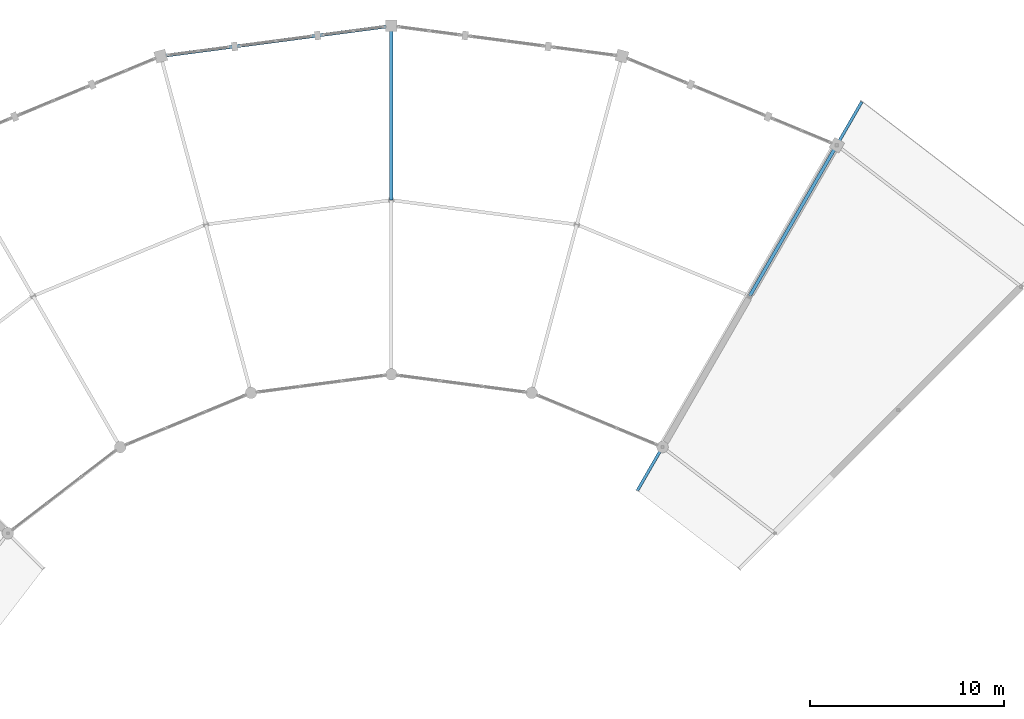
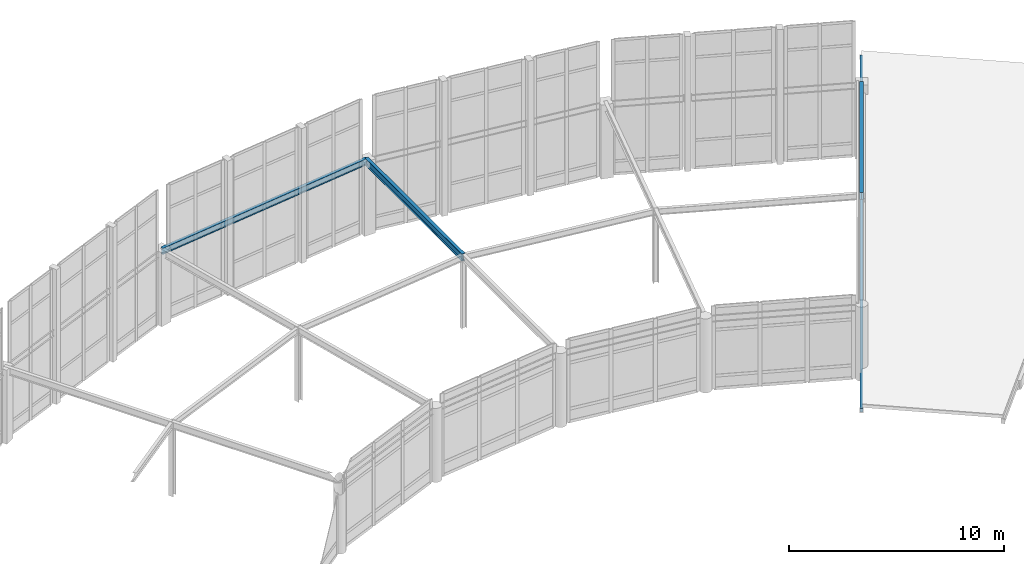
# One storey, part 52 of 93: 3 beams, 1 member.
"""IFC4 building model written with IfcOpenShell, lengths in metres."""

from ifc_helpers import new_model, si_unit, direction, frame, origin, origin_2d, place, context, subcontext, project, spatial, hollow_rectangle, i_section, extrude, material, material_profile, profile_set, type_object, element, save


model = new_model("IFC4")

# Units and contexts
model_context = context("Model", 3, precision=1e-05, world=origin(), true_north=direction((0.0, 1.0)))
body_context = subcontext(model_context, "Body", "Model", "MODEL_VIEW")
ifc_project = project(units=[si_unit("LENGTHUNIT", "METRE"), si_unit("AREAUNIT", "SQUARE_METRE"), si_unit("VOLUMEUNIT", "CUBIC_METRE"), si_unit("PLANEANGLEUNIT", "RADIAN"), si_unit("MASSUNIT", "GRAM", prefix="KILO")], contexts=[model_context])

# Site, building, storey
site_placement = place(None, origin())
site = spatial("IfcSite", under=ifc_project, at=site_placement, CompositionType="ELEMENT")
building_placement = place(site_placement, origin())
building = spatial("IfcBuilding", under=site, at=building_placement, Name="Vondelvale Polytechnic", CompositionType="ELEMENT")
storey_placement = place(building_placement, frame((0.0, 0.0, 18.0)))
storey = spatial("IfcBuildingStorey", under=building, at=storey_placement, Name="L04", CompositionType="ELEMENT", Elevation=18.0)

# Beams
ifc_material_1 = material(Name="Steel 300PLUS (fy = 300 MPa)", Category="steel")
ifc_material_profile_1 = material_profile(ifc_material_1, i_section(OverallWidth=0.1708984375, OverallDepth=0.35205078125, WebThickness=0.0068359375, FlangeThickness=0.009765625, FilletRadius=0.011474609375, at=origin_2d()), Name="360UB44.7")
ifc_profile_set_1 = profile_set([ifc_material_profile_1], Name="Steel 300PLUS (fy = 300 MPa)")
beam_type_1 = type_object("IfcBeamType", Name="BM-UB360L", PredefinedType="BEAM", material=ifc_profile_set_1)
beam_placement = place(storey_placement, frame((102.0, 118.0, 4.02392578125), z_axis=(-0.991445297315, -0.130522880875, 0.0), x_axis=(0.130522880875, -0.991445297315, 0.0)))
element("IfcBeam", 1, at=beam_placement, inside=storey, type_object=beam_type_1, Name="L04 RE B-24", PredefinedType="BEAM", context=body_context, shape_type="SweptSolid", body=[
    extrude(i_section(OverallWidth=0.1708984375, OverallDepth=0.35205078125, WebThickness=0.0068359375, FlangeThickness=0.009765625, FilletRadius=0.011474609375, at=origin_2d()), origin(), (0.0, 0.0, 1.0), 12.008544921875),
])
ifc_material_profile_2 = material_profile(ifc_material_1, i_section(OverallWidth=0.177978515625, OverallDepth=0.403076171875, WebThickness=0.007568359375, FlangeThickness=0.010986328125, FilletRadius=0.011474609375, at=origin_2d()), Name="410UB53.7")
ifc_profile_set_2 = profile_set([ifc_material_profile_2], Name="Steel 300PLUS (fy = 300 MPa)")
beam_type_2 = type_object("IfcBeamType", Name="BM-UB410L", PredefinedType="BEAM", material=ifc_profile_set_2)
for number, where, z_axis, x_axis, name in (
    (2, (120.5, 104.04296875, 3.99853515625), (0.5000018851, 0.866024315419, 0.0), (-0.866024315419, 0.5000018851, 0.0), "L04 REG B-23"),
    (3, (102.0, 109.0, 3.99853515625), (0.0, 1.0, 0.0), (-1.0, 0.0, 0.0), "L04 REG B-23"),
):
    element("IfcBeam", number, at=place(storey_placement, frame(where, z_axis=z_axis, x_axis=x_axis)), inside=storey, type_object=beam_type_2, Name=name, PredefinedType="BEAM", context=body_context, shape_type="SweptSolid", body=[
        extrude(i_section(OverallWidth=0.177978515625, OverallDepth=0.403076171875, WebThickness=0.007568359375, FlangeThickness=0.010986328125, FilletRadius=0.011474609375, at=origin_2d()), origin(), (0.0, 0.0, 1.0), 9.0),
    ])

# Member
ifc_material_2 = material(Name="Steel C350L0 (fy = 350 MPa)", Category="steel")
ifc_material_profile_3 = material_profile(ifc_material_2, hollow_rectangle(XDim=0.14990234375, YDim=0.25, WallThickness=0.006103515625, at=origin_2d()), Name="250x150x6.0RHS")
ifc_profile_set_3 = profile_set([ifc_material_profile_3], Name="Steel C350L0 (fy = 350 MPa)")
member_type = type_object("IfcMemberType", Name="RAFTER RHS250", PredefinedType="RAFTER", material=ifc_profile_set_3)
member_placement = place(storey_placement, frame((126.300048828125, 114.0888671875, 3.765625), z_axis=(-0.493428630748, -0.854636582818, -0.161630744811), x_axis=(0.86602366199, -0.500003016864, 0.0)))
element("IfcMember", 4, at=member_placement, inside=storey, type_object=member_type, Name="Ring step inward-sloping rafter 03", PredefinedType="RAFTER", context=body_context, shape_type="SweptSolid", body=[
    extrude(hollow_rectangle(XDim=0.14990234375, YDim=0.25, WallThickness=0.006103515625, at=origin_2d()), origin(), (0.0, 0.0, 1.0), 23.50927734375),
])

save(model, "model.ifc")
